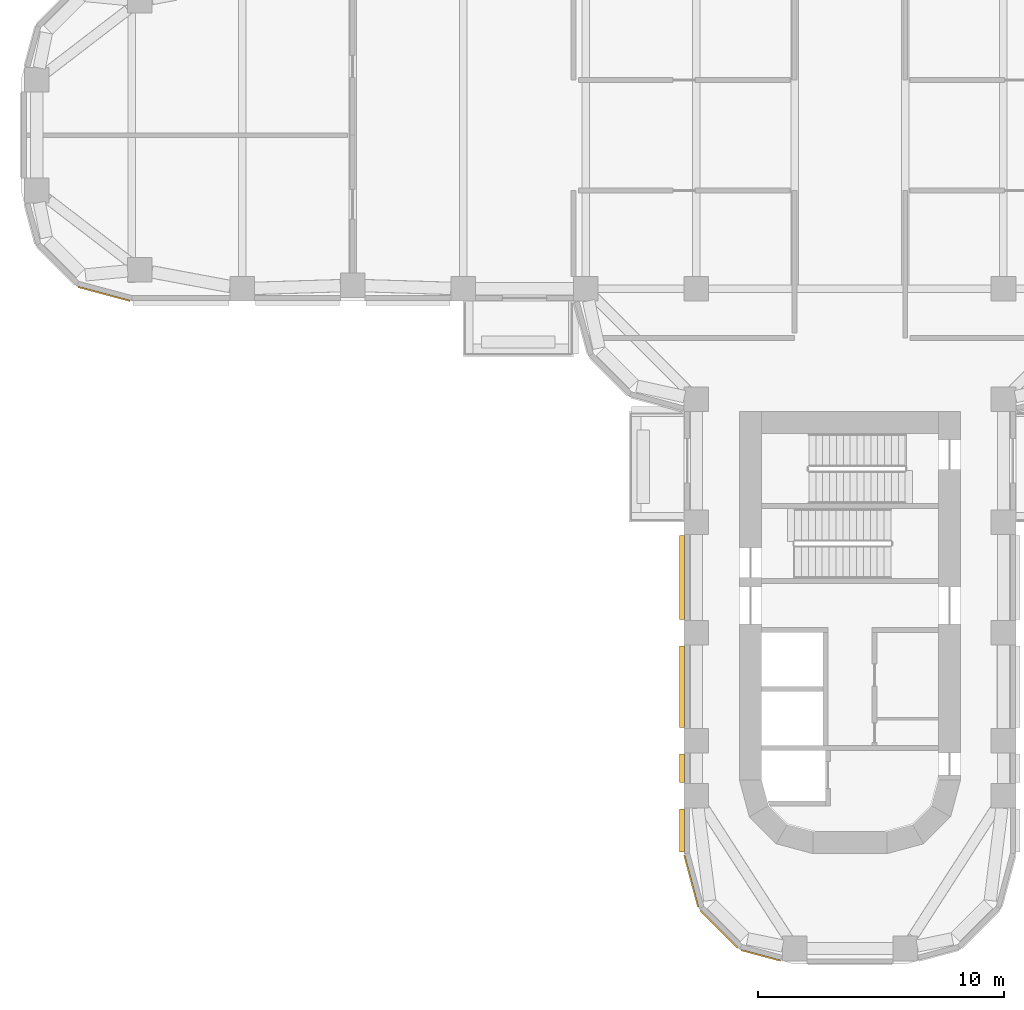
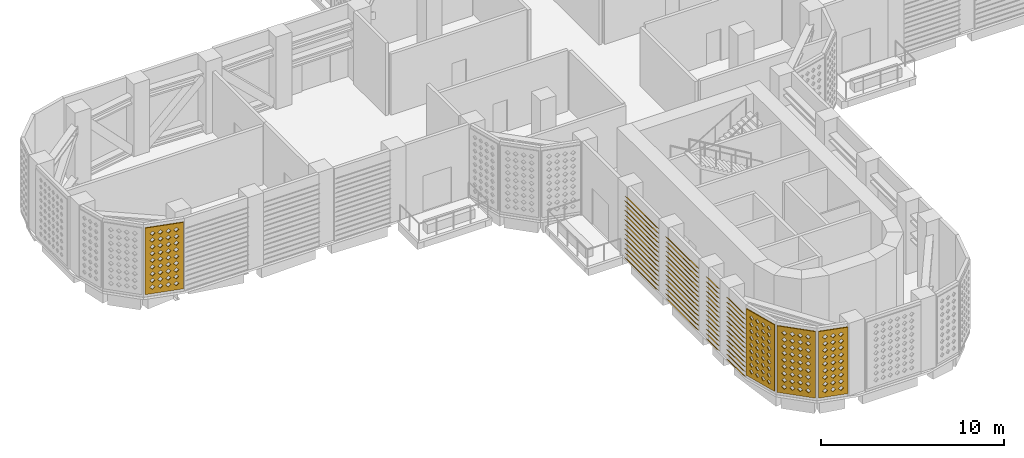
# One storey, part 9 of 20: 4 coverings, 4 shading devices.
"""IFC4 building model written with IfcOpenShell, lengths in metres."""

import ifcopenshell
import ifcopenshell.guid

model = None  # the IFC model being written
_history = None  # IfcOwnerHistory: only IFC2X3 demands one
_inside = {}  # id of a spatial element -> (the spatial element, [elements in it])
_under = {}  # id of a project, library or spatial element -> (it, [spatial elements below it])
_declared = {}  # id of a project -> (the project, [libraries it declares])
_typed = {}  # id of a type object -> (the type object, [elements of that type])
_made_of = {}  # id of a material, layer set ... -> (it, [elements and type objects made of it])


def new_model(schema):
    """Start an empty IFC model of exactly this schema.

    Asked for "IFC4X3", IfcOpenShell would pick the latest addendum, in which some entities
    have other attributes; the version numbers below select the first issue.
    IFC2X3 requires an IfcOwnerHistory on every rooted entity: one is made here for all.
    """
    global model, _history
    if schema == "IFC4X3":
        model = ifcopenshell.file(schema_version=(4, 3, 0, 0))
    else:
        model = ifcopenshell.file(schema=schema)
    _inside.clear()
    _under.clear()
    _declared.clear()
    _typed.clear()
    _made_of.clear()
    _history = None
    if model.schema == "IFC2X3":
        org = make("IfcOrganization", Name="unknown")
        user = make(
            "IfcPersonAndOrganization",
            ThePerson=make("IfcPerson", FamilyName="unknown"),
            TheOrganization=org,
        )
        app = make(
            "IfcApplication",
            ApplicationDeveloper=org,
            Version="unknown",
            ApplicationFullName="unknown",
            ApplicationIdentifier="unknown",
        )
        _history = make(
            "IfcOwnerHistory",
            OwningUser=user,
            OwningApplication=app,
            ChangeAction="ADDED",
            CreationDate=0,
        )
    return model


def make(cls, **values):
    """One entity of the class cls with the attributes given. An attribute that is None is left unset."""
    return model.create_entity(
        cls, **{name: value for name, value in values.items() if value is not None}
    )


def rooted(cls, **values):
    """An entity with a GlobalId (a new one), such as an element, a storey or a relation."""
    return make(cls, GlobalId=ifcopenshell.guid.new(), OwnerHistory=_history, **values)


def si_unit(unit_type, name, prefix=None):
    """IfcSIUnit, for example si_unit("LENGTHUNIT", "METRE", prefix="MILLI")."""
    return make("IfcSIUnit", UnitType=unit_type, Prefix=prefix, Name=name)


def assignment(units):
    """IfcUnitAssignment: the units of a project."""
    return None if units is None else make("IfcUnitAssignment", Units=units)


def point(xyz):
    """IfcCartesianPoint."""
    return None if xyz is None else make("IfcCartesianPoint", Coordinates=xyz)


def direction(xyz):
    """IfcDirection."""
    return None if xyz is None else make("IfcDirection", DirectionRatios=xyz)


def frame(location, z_axis=None, x_axis=None):
    """IfcAxis2Placement3D, a coordinate frame: its origin and axes. An axis left out is left unset."""
    return make(
        "IfcAxis2Placement3D",
        Location=point(location),
        Axis=direction(z_axis),
        RefDirection=direction(x_axis),
    )


def origin():
    """The frame at (0, 0, 0) with its axes left unset."""
    return frame((0.0, 0.0, 0.0))


def place(relative_to, where):
    """IfcLocalPlacement: puts the frame where relative to a parent placement (None: the world)."""
    return make(
        "IfcLocalPlacement", PlacementRelTo=relative_to, RelativePlacement=where
    )


def context(
    kind, dimensions, precision=None, world=None, true_north=None, identifier=None
):
    """IfcGeometricRepresentationContext, for example the 3D "Model" context."""
    return make(
        "IfcGeometricRepresentationContext",
        ContextIdentifier=identifier,
        ContextType=kind,
        CoordinateSpaceDimension=dimensions,
        Precision=precision,
        WorldCoordinateSystem=world,
        TrueNorth=true_north,
    )


def subcontext(parent, identifier, kind, view, scale=None):
    """IfcGeometricRepresentationSubContext, for example "Body" below "Model"."""
    return make(
        "IfcGeometricRepresentationSubContext",
        ContextIdentifier=identifier,
        ContextType=kind,
        ParentContext=parent,
        TargetScale=scale,
        TargetView=view,
    )


def project(units=None, contexts=None):
    """IfcProject with its units and contexts."""
    return rooted(
        "IfcProject",
        Name="project",
        RepresentationContexts=contexts,
        UnitsInContext=assignment(units),
    )


def spatial(cls, under=None, at=None, **own):
    """A site, building, storey or space (cls), placed at a placement, below another one or the project."""
    s = rooted(cls, ObjectPlacement=at, **own)
    if under is not None:
        _under.setdefault(under.id(), (under, []))[1].append(s)
    return s


def polyline(points):
    """IfcPolyline through the points."""
    return make("IfcPolyline", Points=[point(p) for p in points])


def outline(outer, holes=None, kind="AREA"):
    """IfcArbitraryClosedProfileDef: a profile drawn as a closed curve; with holes, ...WithVoids."""
    if holes is None:
        return make("IfcArbitraryClosedProfileDef", ProfileType=kind, OuterCurve=outer)
    return make(
        "IfcArbitraryProfileDefWithVoids",
        ProfileType=kind,
        OuterCurve=outer,
        InnerCurves=holes,
    )


def extrude(swept, where, along, depth):
    """IfcExtrudedAreaSolid: the profile swept, set in the frame where, extruded along a direction by depth."""
    return make(
        "IfcExtrudedAreaSolid",
        SweptArea=swept,
        Position=where,
        ExtrudedDirection=direction(along),
        Depth=depth,
    )


def shape(context_of_items, identifier, shape_type, items):
    """IfcShapeRepresentation: the items that make up one representation, for example the "Body"."""
    return make(
        "IfcShapeRepresentation",
        ContextOfItems=context_of_items,
        RepresentationIdentifier=identifier,
        RepresentationType=shape_type,
        Items=items,
    )


def source(mapping_origin, context_of_items, identifier, shape_type, items):
    """IfcRepresentationMap: a shape defined once, which mapped items show again and again."""
    return make(
        "IfcRepresentationMap",
        MappingOrigin=mapping_origin,
        MappedRepresentation=shape(context_of_items, identifier, shape_type, items),
    )


def transform(
    local_origin,
    x_axis=None,
    y_axis=None,
    z_axis=None,
    scale=None,
    scale2=None,
    scale3=None,
    uniform=True,
):
    """IfcCartesianTransformationOperator3D, or its non-uniform kind. x_axis, y_axis, z_axis: its Axis1, 2, 3."""
    if uniform:
        return make(
            "IfcCartesianTransformationOperator3D",
            Axis1=direction(x_axis),
            Axis2=direction(y_axis),
            LocalOrigin=point(local_origin),
            Scale=scale,
            Axis3=direction(z_axis),
        )
    return make(
        "IfcCartesianTransformationOperator3DnonUniform",
        Axis1=direction(x_axis),
        Axis2=direction(y_axis),
        LocalOrigin=point(local_origin),
        Scale=scale,
        Axis3=direction(z_axis),
        Scale2=scale2,
        Scale3=scale3,
    )


def mapped(mapping_source, mapping_target):
    """IfcMappedItem: shows the shape of a source again, moved by a transform."""
    return make(
        "IfcMappedItem", MappingSource=mapping_source, MappingTarget=mapping_target
    )


def material(Name=None, Category=None):
    """IfcMaterial."""
    return make("IfcMaterial", Name=Name, Category=Category)


def layer(
    of_material, thickness, ventilated=None, Name=None, Category=None, Priority=None
):
    """IfcMaterialLayer: one layer of a wall or slab, of a material (None: an air gap)."""
    return make(
        "IfcMaterialLayer",
        Material=of_material,
        LayerThickness=thickness,
        IsVentilated=ventilated,
        Name=Name,
        Category=Category,
        Priority=Priority,
    )


def layer_set(layers, Name=None):
    """IfcMaterialLayerSet."""
    return make("IfcMaterialLayerSet", MaterialLayers=layers, LayerSetName=Name)


def made_of(thing, what):
    """Note that an element or type object is made of a material, layer set ...; save() writes the relation."""
    if what is not None:
        _made_of.setdefault(what.id(), (what, []))[1].append(thing)
    return thing


def type_object(cls, material=None, **own):
    """A type object (cls), such as IfcWallType, which elements share."""
    return made_of(rooted(cls, **own), material)


def element(
    cls,
    number,
    at=None,
    inside=None,
    cuts=None,
    type_object=None,
    material=None,
    context=None,
    identifier="Body",
    shape_type=None,
    held_by="IfcProductDefinitionShape",
    body=None,
    shapes=None,
    **own,
):
    """One element of the class cls, such as IfcWall. Its Tag is "e" and its number.

    at: its placement. inside: the storey or other place that contains it. cuts: it is an
    opening in that element (IfcRelVoidsElement). A single representation is given by context,
    identifier, shape_type and body (its items); several are given by shapes. held_by: the class
    of the entity that holds the representations. save() writes the other relations.
    """
    e = rooted(cls, Tag="e%d" % number, ObjectPlacement=at, **own)
    if body is not None:
        shapes = [shape(context, identifier, shape_type, body)]
    if shapes is not None:
        e.Representation = make(held_by, Representations=shapes)
    if inside is not None:
        _inside.setdefault(inside.id(), (inside, []))[1].append(e)
    if cuts is not None:
        rooted(
            "IfcRelVoidsElement", RelatingBuildingElement=cuts, RelatedOpeningElement=e
        )
    if type_object is not None:
        _typed.setdefault(type_object.id(), (type_object, []))[1].append(e)
    return made_of(e, material)


def aggregate(whole, parts):
    """IfcRelAggregates: a whole, such as a stair, and the parts it consists of."""
    return rooted("IfcRelAggregates", RelatingObject=whole, RelatedObjects=parts)


def save(model, path):
    """Write the relations noted so far, then the file.

    IfcRelAggregates (storeys below a building ...), IfcRelContainedInSpatialStructure (elements
    in a storey), IfcRelDefinesByType, IfcRelAssociatesMaterial and IfcRelDeclares: one each for
    every whole, place, type object, material and project.
    """
    for whole, parts in _under.values():
        aggregate(whole, parts)
    for where, things in _inside.values():
        rooted(
            "IfcRelContainedInSpatialStructure",
            RelatedElements=things,
            RelatingStructure=where,
        )
    for kind, things in _typed.values():
        rooted("IfcRelDefinesByType", RelatedObjects=things, RelatingType=kind)
    for what, things in _made_of.values():
        rooted("IfcRelAssociatesMaterial", RelatedObjects=things, RelatingMaterial=what)
    for by, libraries in _declared.values():
        rooted("IfcRelDeclares", RelatingContext=by, RelatedDefinitions=libraries)
    model.write(path)


model = new_model("IFC4")

# Units and contexts
model_context = context("Model", 3, precision=1e-05, world=origin(), true_north=direction((0.0, 1.0)))
body_context = subcontext(model_context, "Body", "Model", "MODEL_VIEW")
ifc_project = project(units=[si_unit("LENGTHUNIT", "METRE"), si_unit("AREAUNIT", "SQUARE_METRE"), si_unit("VOLUMEUNIT", "CUBIC_METRE"), si_unit("PLANEANGLEUNIT", "RADIAN"), si_unit("MASSUNIT", "GRAM", prefix="KILO")], contexts=[model_context])

# Site, building, storey
site_placement = place(None, origin())
site = spatial("IfcSite", under=ifc_project, at=site_placement, CompositionType="ELEMENT")
building_placement = place(site_placement, origin())
building = spatial("IfcBuilding", under=site, at=building_placement, Name="Zarbagh Exchange Tower", CompositionType="ELEMENT")
storey_placement = place(building_placement, frame((0.0, 0.0, 81.60009765625)))
storey = spatial("IfcBuildingStorey", under=building, at=storey_placement, Name="L18", CompositionType="ELEMENT", Elevation=81.60009765625)

# Coverings
ifc_material_1 = material(Name="Glass-fibre reinforced concrete GFRC C50/60", Category="concrete")
ifc_layer = layer(ifc_material_1, 0.06005859375)
ifc_layer_set = layer_set([ifc_layer], Name="SCREEN jali panel, GFRC")
covering_type = type_object("IfcCoveringType", Name="SCREEN jali panel, GFRC", PredefinedType="CLADDING", material=ifc_layer_set)
shared_shape_1 = source(origin(), body_context, "Body", "SweptSolid", [
    extrude(outline(polyline([(0.0, 0.0), (1.656005859375, 0.0), (1.656005859375, 4.449951171875), (0.0, 4.449951171875), (0.0, 0.0)]), holes=[polyline([(0.22802734375, 0.425048828125), (0.3779296875, 0.27490234375), (0.528076171875, 0.425048828125), (0.3779296875, 0.574951171875), (0.22802734375, 0.425048828125)]), polyline([(0.22802734375, 0.875), (0.3779296875, 0.72509765625), (0.528076171875, 0.875), (0.3779296875, 1.02490234375), (0.22802734375, 0.875)]), polyline([(0.22802734375, 1.324951171875), (0.3779296875, 1.175048828125), (0.528076171875, 1.324951171875), (0.3779296875, 1.47509765625), (0.22802734375, 1.324951171875)]), polyline([(0.22802734375, 1.77490234375), (0.3779296875, 1.625), (0.528076171875, 1.77490234375), (0.3779296875, 1.925048828125), (0.22802734375, 1.77490234375)]), polyline([(0.22802734375, 2.22509765625), (0.3779296875, 2.074951171875), (0.528076171875, 2.22509765625), (0.3779296875, 2.375), (0.22802734375, 2.22509765625)]), polyline([(0.22802734375, 2.675048828125), (0.3779296875, 2.52490234375), (0.528076171875, 2.675048828125), (0.3779296875, 2.824951171875), (0.22802734375, 2.675048828125)]), polyline([(0.22802734375, 3.125), (0.3779296875, 2.97509765625), (0.528076171875, 3.125), (0.3779296875, 3.27490234375), (0.22802734375, 3.125)]), polyline([(0.22802734375, 3.574951171875), (0.3779296875, 3.425048828125), (0.528076171875, 3.574951171875), (0.3779296875, 3.72509765625), (0.22802734375, 3.574951171875)]), polyline([(0.22802734375, 4.02490234375), (0.3779296875, 3.875), (0.528076171875, 4.02490234375), (0.3779296875, 4.175048828125), (0.22802734375, 4.02490234375)]), polyline([(0.677978515625, 0.425048828125), (0.827880859375, 0.27490234375), (0.97802734375, 0.425048828125), (0.827880859375, 0.574951171875), (0.677978515625, 0.425048828125)]), polyline([(0.677978515625, 0.875), (0.827880859375, 0.72509765625), (0.97802734375, 0.875), (0.827880859375, 1.02490234375), (0.677978515625, 0.875)]), polyline([(0.677978515625, 1.324951171875), (0.827880859375, 1.175048828125), (0.97802734375, 1.324951171875), (0.827880859375, 1.47509765625), (0.677978515625, 1.324951171875)]), polyline([(0.677978515625, 1.77490234375), (0.827880859375, 1.625), (0.97802734375, 1.77490234375), (0.827880859375, 1.925048828125), (0.677978515625, 1.77490234375)]), polyline([(0.677978515625, 2.22509765625), (0.827880859375, 2.074951171875), (0.97802734375, 2.22509765625), (0.827880859375, 2.375), (0.677978515625, 2.22509765625)]), polyline([(0.677978515625, 2.675048828125), (0.827880859375, 2.52490234375), (0.97802734375, 2.675048828125), (0.827880859375, 2.824951171875), (0.677978515625, 2.675048828125)]), polyline([(0.677978515625, 3.125), (0.827880859375, 2.97509765625), (0.97802734375, 3.125), (0.827880859375, 3.27490234375), (0.677978515625, 3.125)]), polyline([(0.677978515625, 3.574951171875), (0.827880859375, 3.425048828125), (0.97802734375, 3.574951171875), (0.827880859375, 3.72509765625), (0.677978515625, 3.574951171875)]), polyline([(0.677978515625, 4.02490234375), (0.827880859375, 3.875), (0.97802734375, 4.02490234375), (0.827880859375, 4.175048828125), (0.677978515625, 4.02490234375)]), polyline([(1.1279296875, 0.425048828125), (1.278076171875, 0.27490234375), (1.427978515625, 0.425048828125), (1.278076171875, 0.574951171875), (1.1279296875, 0.425048828125)]), polyline([(1.1279296875, 0.875), (1.278076171875, 0.72509765625), (1.427978515625, 0.875), (1.278076171875, 1.02490234375), (1.1279296875, 0.875)]), polyline([(1.1279296875, 1.324951171875), (1.278076171875, 1.175048828125), (1.427978515625, 1.324951171875), (1.278076171875, 1.47509765625), (1.1279296875, 1.324951171875)]), polyline([(1.1279296875, 1.77490234375), (1.278076171875, 1.625), (1.427978515625, 1.77490234375), (1.278076171875, 1.925048828125), (1.1279296875, 1.77490234375)]), polyline([(1.1279296875, 2.22509765625), (1.278076171875, 2.074951171875), (1.427978515625, 2.22509765625), (1.278076171875, 2.375), (1.1279296875, 2.22509765625)]), polyline([(1.1279296875, 2.675048828125), (1.278076171875, 2.52490234375), (1.427978515625, 2.675048828125), (1.278076171875, 2.824951171875), (1.1279296875, 2.675048828125)]), polyline([(1.1279296875, 3.125), (1.278076171875, 2.97509765625), (1.427978515625, 3.125), (1.278076171875, 3.27490234375), (1.1279296875, 3.125)]), polyline([(1.1279296875, 3.574951171875), (1.278076171875, 3.425048828125), (1.427978515625, 3.574951171875), (1.278076171875, 3.72509765625), (1.1279296875, 3.574951171875)]), polyline([(1.1279296875, 4.02490234375), (1.278076171875, 3.875), (1.427978515625, 4.02490234375), (1.278076171875, 4.175048828125), (1.1279296875, 4.02490234375)])]), origin(), (0.0, 0.0, 1.0), 0.06005859375),
])
placement = place(storey_placement, origin())
element("IfcCovering", 1, at=placement, inside=storey, type_object=covering_type, Name="JS39 jali screen", PredefinedType="CLADDING", context=body_context, shape_type="MappedRepresentation", body=[
    mapped(shared_shape_1, transform((-4.41552734375, -33.14892578125, 0.199951171875), x_axis=(0.965924215207, -0.258825057666, 0.0), y_axis=(0.0, 0.0, 1.0), z_axis=(-0.258825057666, -0.965924215207, 0.0))),
])
shared_shape_2 = source(origin(), body_context, "Body", "SweptSolid", [
    extrude(outline(polyline([(0.0, 0.0), (2.1650390625, 0.0), (2.1650390625, 4.449951171875), (0.0, 4.449951171875), (0.0, 0.0)]), holes=[polyline([(0.257568359375, 0.425048828125), (0.407470703125, 0.27490234375), (0.5576171875, 0.425048828125), (0.407470703125, 0.574951171875), (0.257568359375, 0.425048828125)]), polyline([(0.257568359375, 0.875), (0.407470703125, 0.72509765625), (0.5576171875, 0.875), (0.407470703125, 1.02490234375), (0.257568359375, 0.875)]), polyline([(0.257568359375, 1.324951171875), (0.407470703125, 1.175048828125), (0.5576171875, 1.324951171875), (0.407470703125, 1.47509765625), (0.257568359375, 1.324951171875)]), polyline([(0.257568359375, 1.77490234375), (0.407470703125, 1.625), (0.5576171875, 1.77490234375), (0.407470703125, 1.925048828125), (0.257568359375, 1.77490234375)]), polyline([(0.257568359375, 2.22509765625), (0.407470703125, 2.074951171875), (0.5576171875, 2.22509765625), (0.407470703125, 2.375), (0.257568359375, 2.22509765625)]), polyline([(0.257568359375, 2.675048828125), (0.407470703125, 2.52490234375), (0.5576171875, 2.675048828125), (0.407470703125, 2.824951171875), (0.257568359375, 2.675048828125)]), polyline([(0.257568359375, 3.125), (0.407470703125, 2.97509765625), (0.5576171875, 3.125), (0.407470703125, 3.27490234375), (0.257568359375, 3.125)]), polyline([(0.257568359375, 3.574951171875), (0.407470703125, 3.425048828125), (0.5576171875, 3.574951171875), (0.407470703125, 3.72509765625), (0.257568359375, 3.574951171875)]), polyline([(0.257568359375, 4.02490234375), (0.407470703125, 3.875), (0.5576171875, 4.02490234375), (0.407470703125, 4.175048828125), (0.257568359375, 4.02490234375)]), polyline([(0.70751953125, 0.425048828125), (0.857421875, 0.27490234375), (1.007568359375, 0.425048828125), (0.857421875, 0.574951171875), (0.70751953125, 0.425048828125)]), polyline([(0.70751953125, 0.875), (0.857421875, 0.72509765625), (1.007568359375, 0.875), (0.857421875, 1.02490234375), (0.70751953125, 0.875)]), polyline([(0.70751953125, 1.324951171875), (0.857421875, 1.175048828125), (1.007568359375, 1.324951171875), (0.857421875, 1.47509765625), (0.70751953125, 1.324951171875)]), polyline([(0.70751953125, 1.77490234375), (0.857421875, 1.625), (1.007568359375, 1.77490234375), (0.857421875, 1.925048828125), (0.70751953125, 1.77490234375)]), polyline([(0.70751953125, 2.22509765625), (0.857421875, 2.074951171875), (1.007568359375, 2.22509765625), (0.857421875, 2.375), (0.70751953125, 2.22509765625)]), polyline([(0.70751953125, 2.675048828125), (0.857421875, 2.52490234375), (1.007568359375, 2.675048828125), (0.857421875, 2.824951171875), (0.70751953125, 2.675048828125)]), polyline([(0.70751953125, 3.125), (0.857421875, 2.97509765625), (1.007568359375, 3.125), (0.857421875, 3.27490234375), (0.70751953125, 3.125)]), polyline([(0.70751953125, 3.574951171875), (0.857421875, 3.425048828125), (1.007568359375, 3.574951171875), (0.857421875, 3.72509765625), (0.70751953125, 3.574951171875)]), polyline([(0.70751953125, 4.02490234375), (0.857421875, 3.875), (1.007568359375, 4.02490234375), (0.857421875, 4.175048828125), (0.70751953125, 4.02490234375)]), polyline([(1.157470703125, 0.425048828125), (1.3076171875, 0.27490234375), (1.45751953125, 0.425048828125), (1.3076171875, 0.574951171875), (1.157470703125, 0.425048828125)]), polyline([(1.157470703125, 0.875), (1.3076171875, 0.72509765625), (1.45751953125, 0.875), (1.3076171875, 1.02490234375), (1.157470703125, 0.875)]), polyline([(1.157470703125, 1.324951171875), (1.3076171875, 1.175048828125), (1.45751953125, 1.324951171875), (1.3076171875, 1.47509765625), (1.157470703125, 1.324951171875)]), polyline([(1.157470703125, 1.77490234375), (1.3076171875, 1.625), (1.45751953125, 1.77490234375), (1.3076171875, 1.925048828125), (1.157470703125, 1.77490234375)]), polyline([(1.157470703125, 2.22509765625), (1.3076171875, 2.074951171875), (1.45751953125, 2.22509765625), (1.3076171875, 2.375), (1.157470703125, 2.22509765625)]), polyline([(1.157470703125, 2.675048828125), (1.3076171875, 2.52490234375), (1.45751953125, 2.675048828125), (1.3076171875, 2.824951171875), (1.157470703125, 2.675048828125)]), polyline([(1.157470703125, 3.125), (1.3076171875, 2.97509765625), (1.45751953125, 3.125), (1.3076171875, 3.27490234375), (1.157470703125, 3.125)]), polyline([(1.157470703125, 3.574951171875), (1.3076171875, 3.425048828125), (1.45751953125, 3.574951171875), (1.3076171875, 3.72509765625), (1.157470703125, 3.574951171875)]), polyline([(1.157470703125, 4.02490234375), (1.3076171875, 3.875), (1.45751953125, 4.02490234375), (1.3076171875, 4.175048828125), (1.157470703125, 4.02490234375)]), polyline([(1.607421875, 0.425048828125), (1.757568359375, 0.27490234375), (1.907470703125, 0.425048828125), (1.757568359375, 0.574951171875), (1.607421875, 0.425048828125)]), polyline([(1.607421875, 0.875), (1.757568359375, 0.72509765625), (1.907470703125, 0.875), (1.757568359375, 1.02490234375), (1.607421875, 0.875)]), polyline([(1.607421875, 1.324951171875), (1.757568359375, 1.175048828125), (1.907470703125, 1.324951171875), (1.757568359375, 1.47509765625), (1.607421875, 1.324951171875)]), polyline([(1.607421875, 1.77490234375), (1.757568359375, 1.625), (1.907470703125, 1.77490234375), (1.757568359375, 1.925048828125), (1.607421875, 1.77490234375)]), polyline([(1.607421875, 2.22509765625), (1.757568359375, 2.074951171875), (1.907470703125, 2.22509765625), (1.757568359375, 2.375), (1.607421875, 2.22509765625)]), polyline([(1.607421875, 2.675048828125), (1.757568359375, 2.52490234375), (1.907470703125, 2.675048828125), (1.757568359375, 2.824951171875), (1.607421875, 2.675048828125)]), polyline([(1.607421875, 3.125), (1.757568359375, 2.97509765625), (1.907470703125, 3.125), (1.757568359375, 3.27490234375), (1.607421875, 3.125)]), polyline([(1.607421875, 3.574951171875), (1.757568359375, 3.425048828125), (1.907470703125, 3.574951171875), (1.757568359375, 3.72509765625), (1.607421875, 3.574951171875)]), polyline([(1.607421875, 4.02490234375), (1.757568359375, 3.875), (1.907470703125, 4.02490234375), (1.757568359375, 4.175048828125), (1.607421875, 4.02490234375)])]), origin(), (0.0, 0.0, 1.0), 0.06005859375),
])
element("IfcCovering", 2, at=placement, inside=storey, type_object=covering_type, Name="JS38 jali screen", PredefinedType="CLADDING", context=body_context, shape_type="MappedRepresentation", body=[
    mapped(shared_shape_2, transform((-6.074951171875, -31.5439453125, 0.199951171875), x_axis=(0.707106781187, -0.707106781187, 0.0), y_axis=(0.0, 0.0, 1.0), z_axis=(-0.707106781187, -0.707106781187, 0.0))),
])
shared_shape_3 = source(origin(), body_context, "Body", "SweptSolid", [
    extrude(outline(polyline([(0.0, 0.0), (2.181396484375, 0.0), (2.181396484375, 4.449951171875), (0.0, 4.449951171875), (0.0, 0.0)]), holes=[polyline([(0.265625, 0.425048828125), (0.415771484375, 0.27490234375), (0.565673828125, 0.425048828125), (0.415771484375, 0.574951171875), (0.265625, 0.425048828125)]), polyline([(0.265625, 0.875), (0.415771484375, 0.72509765625), (0.565673828125, 0.875), (0.415771484375, 1.02490234375), (0.265625, 0.875)]), polyline([(0.265625, 1.324951171875), (0.415771484375, 1.175048828125), (0.565673828125, 1.324951171875), (0.415771484375, 1.47509765625), (0.265625, 1.324951171875)]), polyline([(0.265625, 1.77490234375), (0.415771484375, 1.625), (0.565673828125, 1.77490234375), (0.415771484375, 1.925048828125), (0.265625, 1.77490234375)]), polyline([(0.265625, 2.22509765625), (0.415771484375, 2.074951171875), (0.565673828125, 2.22509765625), (0.415771484375, 2.375), (0.265625, 2.22509765625)]), polyline([(0.265625, 2.675048828125), (0.415771484375, 2.52490234375), (0.565673828125, 2.675048828125), (0.415771484375, 2.824951171875), (0.265625, 2.675048828125)]), polyline([(0.265625, 3.125), (0.415771484375, 2.97509765625), (0.565673828125, 3.125), (0.415771484375, 3.27490234375), (0.265625, 3.125)]), polyline([(0.265625, 3.574951171875), (0.415771484375, 3.425048828125), (0.565673828125, 3.574951171875), (0.415771484375, 3.72509765625), (0.265625, 3.574951171875)]), polyline([(0.265625, 4.02490234375), (0.415771484375, 3.875), (0.565673828125, 4.02490234375), (0.415771484375, 4.175048828125), (0.265625, 4.02490234375)]), polyline([(0.7158203125, 0.425048828125), (0.86572265625, 0.27490234375), (1.015625, 0.425048828125), (0.86572265625, 0.574951171875), (0.7158203125, 0.425048828125)]), polyline([(0.7158203125, 0.875), (0.86572265625, 0.72509765625), (1.015625, 0.875), (0.86572265625, 1.02490234375), (0.7158203125, 0.875)]), polyline([(0.7158203125, 1.324951171875), (0.86572265625, 1.175048828125), (1.015625, 1.324951171875), (0.86572265625, 1.47509765625), (0.7158203125, 1.324951171875)]), polyline([(0.7158203125, 1.77490234375), (0.86572265625, 1.625), (1.015625, 1.77490234375), (0.86572265625, 1.925048828125), (0.7158203125, 1.77490234375)]), polyline([(0.7158203125, 2.22509765625), (0.86572265625, 2.074951171875), (1.015625, 2.22509765625), (0.86572265625, 2.375), (0.7158203125, 2.22509765625)]), polyline([(0.7158203125, 2.675048828125), (0.86572265625, 2.52490234375), (1.015625, 2.675048828125), (0.86572265625, 2.824951171875), (0.7158203125, 2.675048828125)]), polyline([(0.7158203125, 3.125), (0.86572265625, 2.97509765625), (1.015625, 3.125), (0.86572265625, 3.27490234375), (0.7158203125, 3.125)]), polyline([(0.7158203125, 3.574951171875), (0.86572265625, 3.425048828125), (1.015625, 3.574951171875), (0.86572265625, 3.72509765625), (0.7158203125, 3.574951171875)]), polyline([(0.7158203125, 4.02490234375), (0.86572265625, 3.875), (1.015625, 4.02490234375), (0.86572265625, 4.175048828125), (0.7158203125, 4.02490234375)]), polyline([(1.165771484375, 0.425048828125), (1.315673828125, 0.27490234375), (1.4658203125, 0.425048828125), (1.315673828125, 0.574951171875), (1.165771484375, 0.425048828125)]), polyline([(1.165771484375, 0.875), (1.315673828125, 0.72509765625), (1.4658203125, 0.875), (1.315673828125, 1.02490234375), (1.165771484375, 0.875)]), polyline([(1.165771484375, 1.324951171875), (1.315673828125, 1.175048828125), (1.4658203125, 1.324951171875), (1.315673828125, 1.47509765625), (1.165771484375, 1.324951171875)]), polyline([(1.165771484375, 1.77490234375), (1.315673828125, 1.625), (1.4658203125, 1.77490234375), (1.315673828125, 1.925048828125), (1.165771484375, 1.77490234375)]), polyline([(1.165771484375, 2.22509765625), (1.315673828125, 2.074951171875), (1.4658203125, 2.22509765625), (1.315673828125, 2.375), (1.165771484375, 2.22509765625)]), polyline([(1.165771484375, 2.675048828125), (1.315673828125, 2.52490234375), (1.4658203125, 2.675048828125), (1.315673828125, 2.824951171875), (1.165771484375, 2.675048828125)]), polyline([(1.165771484375, 3.125), (1.315673828125, 2.97509765625), (1.4658203125, 3.125), (1.315673828125, 3.27490234375), (1.165771484375, 3.125)]), polyline([(1.165771484375, 3.574951171875), (1.315673828125, 3.425048828125), (1.4658203125, 3.574951171875), (1.315673828125, 3.72509765625), (1.165771484375, 3.574951171875)]), polyline([(1.165771484375, 4.02490234375), (1.315673828125, 3.875), (1.4658203125, 4.02490234375), (1.315673828125, 4.175048828125), (1.165771484375, 4.02490234375)]), polyline([(1.61572265625, 0.425048828125), (1.765625, 0.27490234375), (1.915771484375, 0.425048828125), (1.765625, 0.574951171875), (1.61572265625, 0.425048828125)]), polyline([(1.61572265625, 0.875), (1.765625, 0.72509765625), (1.915771484375, 0.875), (1.765625, 1.02490234375), (1.61572265625, 0.875)]), polyline([(1.61572265625, 1.324951171875), (1.765625, 1.175048828125), (1.915771484375, 1.324951171875), (1.765625, 1.47509765625), (1.61572265625, 1.324951171875)]), polyline([(1.61572265625, 1.77490234375), (1.765625, 1.625), (1.915771484375, 1.77490234375), (1.765625, 1.925048828125), (1.61572265625, 1.77490234375)]), polyline([(1.61572265625, 2.22509765625), (1.765625, 2.074951171875), (1.915771484375, 2.22509765625), (1.765625, 2.375), (1.61572265625, 2.22509765625)]), polyline([(1.61572265625, 2.675048828125), (1.765625, 2.52490234375), (1.915771484375, 2.675048828125), (1.765625, 2.824951171875), (1.61572265625, 2.675048828125)]), polyline([(1.61572265625, 3.125), (1.765625, 2.97509765625), (1.915771484375, 3.125), (1.765625, 3.27490234375), (1.61572265625, 3.125)]), polyline([(1.61572265625, 3.574951171875), (1.765625, 3.425048828125), (1.915771484375, 3.574951171875), (1.765625, 3.72509765625), (1.61572265625, 3.574951171875)]), polyline([(1.61572265625, 4.02490234375), (1.765625, 3.875), (1.915771484375, 4.02490234375), (1.765625, 4.175048828125), (1.61572265625, 4.02490234375)])]), origin(), (0.0, 0.0, 1.0), 0.06005859375),
])
element("IfcCovering", 3, at=placement, inside=storey, type_object=covering_type, Name="JS33 jali screen", PredefinedType="CLADDING", context=body_context, shape_type="MappedRepresentation", body=[
    mapped(shared_shape_3, transform((-31.41552734375, -6.14892578125, 0.199951171875), x_axis=(0.965924215207, -0.258825057666, 0.0), y_axis=(0.0, 0.0, 1.0), z_axis=(-0.258825057666, -0.965924215207, 0.0))),
])
element("IfcCovering", 4, at=placement, inside=storey, type_object=covering_type, Name="JS37 jali screen", PredefinedType="CLADDING", context=body_context, shape_type="MappedRepresentation", body=[
    mapped(shared_shape_3, transform((-6.713623046875, -29.308349609375, 0.199951171875), x_axis=(0.258825057666, -0.965924215207, 0.0), y_axis=(0.0, 0.0, 1.0), z_axis=(-0.965924215207, -0.258825057666, 0.0))),
])

# Shading devices
ifc_material_2 = material(Name="Anodised aluminium", Category="aluminium")
shading_device_type = type_object("IfcShadingDeviceType", Name="LOUVRE plant louvre, fixed blades", PredefinedType="USERDEFINED", material=ifc_material_2)
shared_shape_4 = source(origin(), body_context, "Body", "SweptSolid", [
    extrude(outline(polyline([(0.0, 0.199951171875), (0.199951171875, 0.0), (0.199951171875, -0.02001953125), (0.0, 0.179931640625), (0.0, 0.199951171875)])), origin(), (0.0, 0.0, 1.0), 1.744140625),
])
element("IfcShadingDevice", 5, at=placement, inside=storey, type_object=shading_device_type, Name="LV08 plant louvre", ObjectType="LOUVRE", PredefinedType="USERDEFINED", context=body_context, shape_type="MappedRepresentation", body=[
    mapped(shared_shape_4, transform((-6.72998046875, -27.43994140625, 0.199951171875), x_axis=(-1.0, 0.0, 0.0), y_axis=(0.0, 0.0, -1.0), z_axis=(0.0, -1.0, 0.0))),
    mapped(shared_shape_4, transform((-6.72998046875, -27.43994140625, 0.517822265625), x_axis=(-1.0, 0.0, 0.0), y_axis=(0.0, 0.0, -1.0), z_axis=(0.0, -1.0, 0.0))),
    mapped(shared_shape_4, transform((-6.72998046875, -27.43994140625, 0.835693359375), x_axis=(-1.0, 0.0, 0.0), y_axis=(0.0, 0.0, -1.0), z_axis=(0.0, -1.0, 0.0))),
    mapped(shared_shape_4, transform((-6.72998046875, -27.43994140625, 1.153564453125), x_axis=(-1.0, 0.0, 0.0), y_axis=(0.0, 0.0, -1.0), z_axis=(0.0, -1.0, 0.0))),
    mapped(shared_shape_4, transform((-6.72998046875, -27.43994140625, 1.471435546875), x_axis=(-1.0, 0.0, 0.0), y_axis=(0.0, 0.0, -1.0), z_axis=(0.0, -1.0, 0.0))),
    mapped(shared_shape_4, transform((-6.72998046875, -27.43994140625, 1.789306640625), x_axis=(-1.0, 0.0, 0.0), y_axis=(0.0, 0.0, -1.0), z_axis=(0.0, -1.0, 0.0))),
    mapped(shared_shape_4, transform((-6.72998046875, -27.43994140625, 2.10693359375), x_axis=(-1.0, 0.0, 0.0), y_axis=(0.0, 0.0, -1.0), z_axis=(0.0, -1.0, 0.0))),
    mapped(shared_shape_4, transform((-6.72998046875, -27.43994140625, 2.4248046875), x_axis=(-1.0, 0.0, 0.0), y_axis=(0.0, 0.0, -1.0), z_axis=(0.0, -1.0, 0.0))),
    mapped(shared_shape_4, transform((-6.72998046875, -27.43994140625, 2.74267578125), x_axis=(-1.0, 0.0, 0.0), y_axis=(0.0, 0.0, -1.0), z_axis=(0.0, -1.0, 0.0))),
    mapped(shared_shape_4, transform((-6.72998046875, -27.43994140625, 3.060546875), x_axis=(-1.0, 0.0, 0.0), y_axis=(0.0, 0.0, -1.0), z_axis=(0.0, -1.0, 0.0))),
    mapped(shared_shape_4, transform((-6.72998046875, -27.43994140625, 3.37841796875), x_axis=(-1.0, 0.0, 0.0), y_axis=(0.0, 0.0, -1.0), z_axis=(0.0, -1.0, 0.0))),
    mapped(shared_shape_4, transform((-6.72998046875, -27.43994140625, 3.6962890625), x_axis=(-1.0, 0.0, 0.0), y_axis=(0.0, 0.0, -1.0), z_axis=(0.0, -1.0, 0.0))),
    mapped(shared_shape_4, transform((-6.72998046875, -27.43994140625, 4.01416015625), x_axis=(-1.0, 0.0, 0.0), y_axis=(0.0, 0.0, -1.0), z_axis=(0.0, -1.0, 0.0))),
    mapped(shared_shape_4, transform((-6.72998046875, -27.43994140625, 4.33203125), x_axis=(-1.0, 0.0, 0.0), y_axis=(0.0, 0.0, -1.0), z_axis=(0.0, -1.0, 0.0))),
])
shared_shape_5 = source(origin(), body_context, "Body", "SweptSolid", [
    extrude(outline(polyline([(0.0, 0.199951171875), (0.199951171875, 0.0), (0.199951171875, -0.02001953125), (0.0, 0.179931640625), (0.0, 0.199951171875)])), origin(), (0.0, 0.0, 1.0), 1.169921875),
])
element("IfcShadingDevice", 6, at=placement, inside=storey, type_object=shading_device_type, Name="LV08 plant louvre", ObjectType="LOUVRE", PredefinedType="USERDEFINED", context=body_context, shape_type="MappedRepresentation", body=[
    mapped(shared_shape_5, transform((-6.72998046875, -25.18994140625, 0.199951171875), x_axis=(-1.0, 0.0, 0.0), y_axis=(0.0, 0.0, -1.0), z_axis=(0.0, -1.0, 0.0))),
    mapped(shared_shape_5, transform((-6.72998046875, -25.18994140625, 0.517822265625), x_axis=(-1.0, 0.0, 0.0), y_axis=(0.0, 0.0, -1.0), z_axis=(0.0, -1.0, 0.0))),
    mapped(shared_shape_5, transform((-6.72998046875, -25.18994140625, 0.835693359375), x_axis=(-1.0, 0.0, 0.0), y_axis=(0.0, 0.0, -1.0), z_axis=(0.0, -1.0, 0.0))),
    mapped(shared_shape_5, transform((-6.72998046875, -25.18994140625, 1.153564453125), x_axis=(-1.0, 0.0, 0.0), y_axis=(0.0, 0.0, -1.0), z_axis=(0.0, -1.0, 0.0))),
    mapped(shared_shape_5, transform((-6.72998046875, -25.18994140625, 1.471435546875), x_axis=(-1.0, 0.0, 0.0), y_axis=(0.0, 0.0, -1.0), z_axis=(0.0, -1.0, 0.0))),
    mapped(shared_shape_5, transform((-6.72998046875, -25.18994140625, 1.789306640625), x_axis=(-1.0, 0.0, 0.0), y_axis=(0.0, 0.0, -1.0), z_axis=(0.0, -1.0, 0.0))),
    mapped(shared_shape_5, transform((-6.72998046875, -25.18994140625, 2.10693359375), x_axis=(-1.0, 0.0, 0.0), y_axis=(0.0, 0.0, -1.0), z_axis=(0.0, -1.0, 0.0))),
    mapped(shared_shape_5, transform((-6.72998046875, -25.18994140625, 2.4248046875), x_axis=(-1.0, 0.0, 0.0), y_axis=(0.0, 0.0, -1.0), z_axis=(0.0, -1.0, 0.0))),
    mapped(shared_shape_5, transform((-6.72998046875, -25.18994140625, 2.74267578125), x_axis=(-1.0, 0.0, 0.0), y_axis=(0.0, 0.0, -1.0), z_axis=(0.0, -1.0, 0.0))),
    mapped(shared_shape_5, transform((-6.72998046875, -25.18994140625, 3.060546875), x_axis=(-1.0, 0.0, 0.0), y_axis=(0.0, 0.0, -1.0), z_axis=(0.0, -1.0, 0.0))),
    mapped(shared_shape_5, transform((-6.72998046875, -25.18994140625, 3.37841796875), x_axis=(-1.0, 0.0, 0.0), y_axis=(0.0, 0.0, -1.0), z_axis=(0.0, -1.0, 0.0))),
    mapped(shared_shape_5, transform((-6.72998046875, -25.18994140625, 3.6962890625), x_axis=(-1.0, 0.0, 0.0), y_axis=(0.0, 0.0, -1.0), z_axis=(0.0, -1.0, 0.0))),
    mapped(shared_shape_5, transform((-6.72998046875, -25.18994140625, 4.01416015625), x_axis=(-1.0, 0.0, 0.0), y_axis=(0.0, 0.0, -1.0), z_axis=(0.0, -1.0, 0.0))),
    mapped(shared_shape_5, transform((-6.72998046875, -25.18994140625, 4.33203125), x_axis=(-1.0, 0.0, 0.0), y_axis=(0.0, 0.0, -1.0), z_axis=(0.0, -1.0, 0.0))),
])
shared_shape_6 = source(origin(), body_context, "Body", "SweptSolid", [
    extrude(outline(polyline([(0.0, 0.199951171875), (0.199951171875, 0.0), (0.199951171875, -0.02001953125), (0.0, 0.179931640625), (0.0, 0.199951171875)])), origin(), (0.0, 0.0, 1.0), 3.320068359375),
])
element("IfcShadingDevice", 7, at=placement, inside=storey, type_object=shading_device_type, Name="LV08 plant louvre", ObjectType="LOUVRE", PredefinedType="USERDEFINED", context=body_context, shape_type="MappedRepresentation", body=[
    mapped(shared_shape_6, transform((-6.72998046875, -20.7900390625, 0.199951171875), x_axis=(-1.0, 0.0, 0.0), y_axis=(0.0, 0.0, -1.0), z_axis=(0.0, -1.0, 0.0))),
    mapped(shared_shape_6, transform((-6.72998046875, -20.7900390625, 0.517822265625), x_axis=(-1.0, 0.0, 0.0), y_axis=(0.0, 0.0, -1.0), z_axis=(0.0, -1.0, 0.0))),
    mapped(shared_shape_6, transform((-6.72998046875, -20.7900390625, 0.835693359375), x_axis=(-1.0, 0.0, 0.0), y_axis=(0.0, 0.0, -1.0), z_axis=(0.0, -1.0, 0.0))),
    mapped(shared_shape_6, transform((-6.72998046875, -20.7900390625, 1.153564453125), x_axis=(-1.0, 0.0, 0.0), y_axis=(0.0, 0.0, -1.0), z_axis=(0.0, -1.0, 0.0))),
    mapped(shared_shape_6, transform((-6.72998046875, -20.7900390625, 1.471435546875), x_axis=(-1.0, 0.0, 0.0), y_axis=(0.0, 0.0, -1.0), z_axis=(0.0, -1.0, 0.0))),
    mapped(shared_shape_6, transform((-6.72998046875, -20.7900390625, 1.789306640625), x_axis=(-1.0, 0.0, 0.0), y_axis=(0.0, 0.0, -1.0), z_axis=(0.0, -1.0, 0.0))),
    mapped(shared_shape_6, transform((-6.72998046875, -20.7900390625, 2.10693359375), x_axis=(-1.0, 0.0, 0.0), y_axis=(0.0, 0.0, -1.0), z_axis=(0.0, -1.0, 0.0))),
    mapped(shared_shape_6, transform((-6.72998046875, -20.7900390625, 2.4248046875), x_axis=(-1.0, 0.0, 0.0), y_axis=(0.0, 0.0, -1.0), z_axis=(0.0, -1.0, 0.0))),
    mapped(shared_shape_6, transform((-6.72998046875, -20.7900390625, 2.74267578125), x_axis=(-1.0, 0.0, 0.0), y_axis=(0.0, 0.0, -1.0), z_axis=(0.0, -1.0, 0.0))),
    mapped(shared_shape_6, transform((-6.72998046875, -20.7900390625, 3.060546875), x_axis=(-1.0, 0.0, 0.0), y_axis=(0.0, 0.0, -1.0), z_axis=(0.0, -1.0, 0.0))),
    mapped(shared_shape_6, transform((-6.72998046875, -20.7900390625, 3.37841796875), x_axis=(-1.0, 0.0, 0.0), y_axis=(0.0, 0.0, -1.0), z_axis=(0.0, -1.0, 0.0))),
    mapped(shared_shape_6, transform((-6.72998046875, -20.7900390625, 3.6962890625), x_axis=(-1.0, 0.0, 0.0), y_axis=(0.0, 0.0, -1.0), z_axis=(0.0, -1.0, 0.0))),
    mapped(shared_shape_6, transform((-6.72998046875, -20.7900390625, 4.01416015625), x_axis=(-1.0, 0.0, 0.0), y_axis=(0.0, 0.0, -1.0), z_axis=(0.0, -1.0, 0.0))),
    mapped(shared_shape_6, transform((-6.72998046875, -20.7900390625, 4.33203125), x_axis=(-1.0, 0.0, 0.0), y_axis=(0.0, 0.0, -1.0), z_axis=(0.0, -1.0, 0.0))),
])
shared_shape_7 = source(origin(), body_context, "Body", "SweptSolid", [
    extrude(outline(polyline([(0.0, 0.199951171875), (0.199951171875, 0.0), (0.199951171875, -0.02001953125), (0.0, 0.179931640625), (0.0, 0.199951171875)])), origin(), (0.0, 0.0, 1.0), 3.419921875),
])
element("IfcShadingDevice", 8, at=placement, inside=storey, type_object=shading_device_type, Name="LV08 plant louvre", ObjectType="LOUVRE", PredefinedType="USERDEFINED", context=body_context, shape_type="MappedRepresentation", body=[
    mapped(shared_shape_7, transform((-6.72998046875, -16.2900390625, 0.199951171875), x_axis=(-1.0, 0.0, 0.0), y_axis=(0.0, 0.0, -1.0), z_axis=(0.0, -1.0, 0.0))),
    mapped(shared_shape_7, transform((-6.72998046875, -16.2900390625, 0.517822265625), x_axis=(-1.0, 0.0, 0.0), y_axis=(0.0, 0.0, -1.0), z_axis=(0.0, -1.0, 0.0))),
    mapped(shared_shape_7, transform((-6.72998046875, -16.2900390625, 0.835693359375), x_axis=(-1.0, 0.0, 0.0), y_axis=(0.0, 0.0, -1.0), z_axis=(0.0, -1.0, 0.0))),
    mapped(shared_shape_7, transform((-6.72998046875, -16.2900390625, 1.153564453125), x_axis=(-1.0, 0.0, 0.0), y_axis=(0.0, 0.0, -1.0), z_axis=(0.0, -1.0, 0.0))),
    mapped(shared_shape_7, transform((-6.72998046875, -16.2900390625, 1.471435546875), x_axis=(-1.0, 0.0, 0.0), y_axis=(0.0, 0.0, -1.0), z_axis=(0.0, -1.0, 0.0))),
    mapped(shared_shape_7, transform((-6.72998046875, -16.2900390625, 1.789306640625), x_axis=(-1.0, 0.0, 0.0), y_axis=(0.0, 0.0, -1.0), z_axis=(0.0, -1.0, 0.0))),
    mapped(shared_shape_7, transform((-6.72998046875, -16.2900390625, 2.10693359375), x_axis=(-1.0, 0.0, 0.0), y_axis=(0.0, 0.0, -1.0), z_axis=(0.0, -1.0, 0.0))),
    mapped(shared_shape_7, transform((-6.72998046875, -16.2900390625, 2.4248046875), x_axis=(-1.0, 0.0, 0.0), y_axis=(0.0, 0.0, -1.0), z_axis=(0.0, -1.0, 0.0))),
    mapped(shared_shape_7, transform((-6.72998046875, -16.2900390625, 2.74267578125), x_axis=(-1.0, 0.0, 0.0), y_axis=(0.0, 0.0, -1.0), z_axis=(0.0, -1.0, 0.0))),
    mapped(shared_shape_7, transform((-6.72998046875, -16.2900390625, 3.060546875), x_axis=(-1.0, 0.0, 0.0), y_axis=(0.0, 0.0, -1.0), z_axis=(0.0, -1.0, 0.0))),
    mapped(shared_shape_7, transform((-6.72998046875, -16.2900390625, 3.37841796875), x_axis=(-1.0, 0.0, 0.0), y_axis=(0.0, 0.0, -1.0), z_axis=(0.0, -1.0, 0.0))),
    mapped(shared_shape_7, transform((-6.72998046875, -16.2900390625, 3.6962890625), x_axis=(-1.0, 0.0, 0.0), y_axis=(0.0, 0.0, -1.0), z_axis=(0.0, -1.0, 0.0))),
    mapped(shared_shape_7, transform((-6.72998046875, -16.2900390625, 4.01416015625), x_axis=(-1.0, 0.0, 0.0), y_axis=(0.0, 0.0, -1.0), z_axis=(0.0, -1.0, 0.0))),
    mapped(shared_shape_7, transform((-6.72998046875, -16.2900390625, 4.33203125), x_axis=(-1.0, 0.0, 0.0), y_axis=(0.0, 0.0, -1.0), z_axis=(0.0, -1.0, 0.0))),
])

save(model, "model.ifc")
